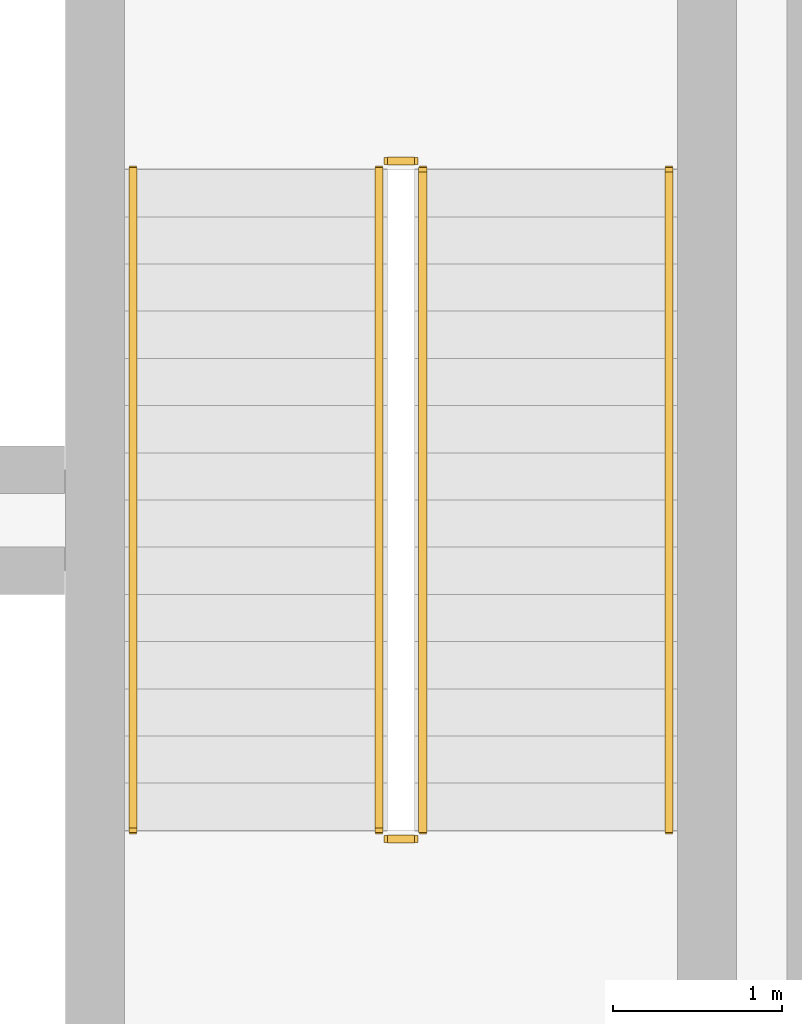
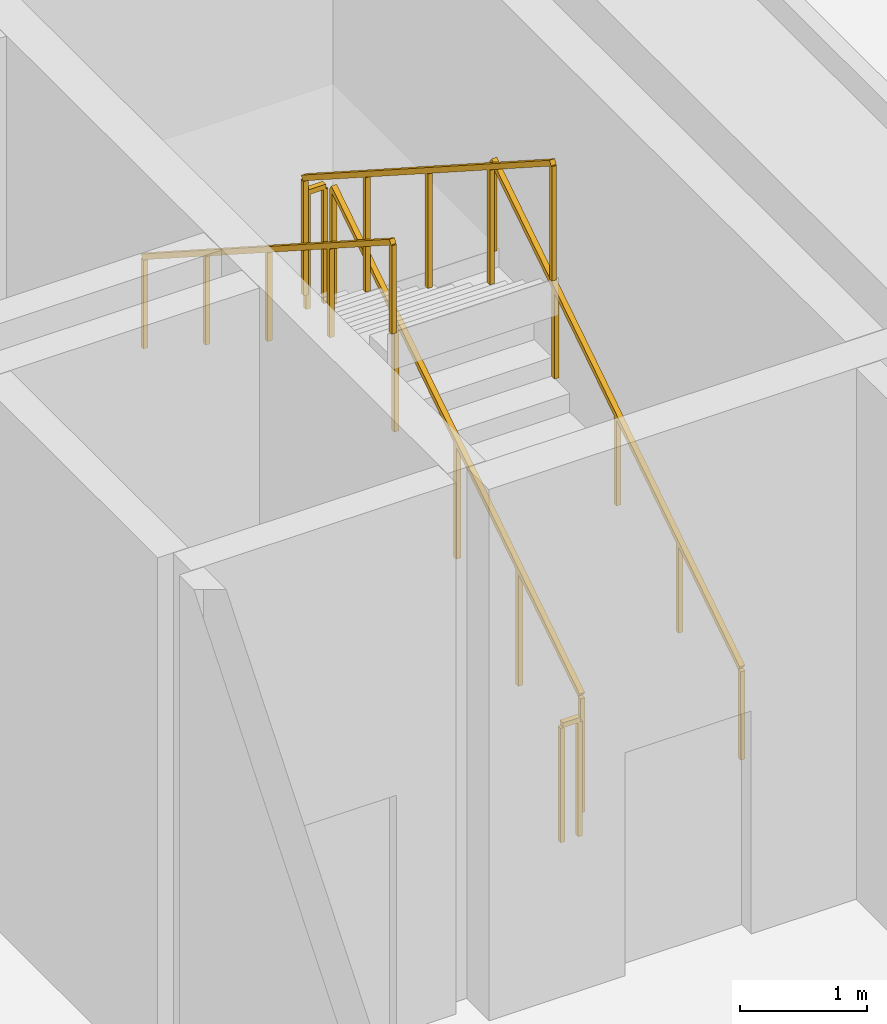
# One storey, part 25 of 25: 6 railings.
"""IFC4 building model written with IfcOpenShell, lengths in metres."""

from ifc_helpers import new_model, si_unit, direction, frame, origin, origin_2d, place, context, subcontext, project, spatial, rectangle, extrude, material, type_object, element, save


model = new_model("IFC4")

# Units and contexts
model_context = context("Model", 3, precision=1e-05, world=origin(), true_north=direction((0.0, 1.0)))
body_context = subcontext(model_context, "Body", "Model", "MODEL_VIEW")
ifc_project = project(units=[si_unit("LENGTHUNIT", "METRE"), si_unit("AREAUNIT", "SQUARE_METRE"), si_unit("VOLUMEUNIT", "CUBIC_METRE"), si_unit("PLANEANGLEUNIT", "RADIAN"), si_unit("MASSUNIT", "GRAM", prefix="KILO")], contexts=[model_context])

# Site, building, storey
site_placement = place(None, origin())
site = spatial("IfcSite", under=ifc_project, at=site_placement, CompositionType="ELEMENT")
building_placement = place(site_placement, origin())
building = spatial("IfcBuilding", under=site, at=building_placement, Name="Kaelvorn Grand Hotel", CompositionType="ELEMENT")
storey_placement = place(building_placement, frame((0.0, 0.0, 26.0)))
storey = spatial("IfcBuildingStorey", under=building, at=storey_placement, Name="L04", CompositionType="ELEMENT", Elevation=26.0)

# Railings
ifc_material = material(Name="Stainless Steel", Category="steel")
railing_type_1 = type_object("IfcRailingType", Name="RL-HANDRAIL-900", PredefinedType="HANDRAIL", material=ifc_material)
railing_1_placement = place(storey_placement, frame((66.550048828125, 41.760009765625, 0.179931640625)))
element("IfcRailing", 1, at=railing_1_placement, inside=storey, type_object=railing_type_1, Name="L04 ST3 stair handrail 1", PredefinedType="HANDRAIL", context=body_context, shape_type="SweptSolid", body=[
    extrude(rectangle(XDim=0.048095703125, YDim=0.048095703125, at=origin_2d()), frame((0.0, 0.0, 0.8759765625), z_axis=(0.0, 0.841171666519, 0.540768182723), x_axis=(-1.0, 0.0, 0.0)), (0.0, 0.0, 1.0), 4.66015625),
    extrude(rectangle(XDim=0.0419921875, YDim=0.0419921875, at=origin_2d()), origin(), (0.0, 0.0, 1.0), 0.851806640625),
    extrude(rectangle(XDim=0.0419921875, YDim=0.0419921875, at=origin_2d()), frame((0.0, 0.97998046875, 0.6298828125)), (0.0, 0.0, 1.0), 0.851806640625),
    extrude(rectangle(XDim=0.0419921875, YDim=0.0419921875, at=origin_2d()), frame((0.0, 1.9599609375, 1.260009765625)), (0.0, 0.0, 1.0), 0.851806640625),
    extrude(rectangle(XDim=0.0419921875, YDim=0.0419921875, at=origin_2d()), frame((0.0, 2.93994140625, 1.89013671875)), (0.0, 0.0, 1.0), 0.851806640625),
    extrude(rectangle(XDim=0.0419921875, YDim=0.0419921875, at=origin_2d()), frame((0.0, 3.919921875, 2.52001953125)), (0.0, 0.0, 1.0), 0.851806640625),
])
railing_2_placement = place(storey_placement, frame((63.3701171875, 45.679931640625, 2.8798828125)))
element("IfcRailing", 2, at=railing_2_placement, inside=storey, type_object=railing_type_1, Name="L04 ST3 stair handrail 2", PredefinedType="HANDRAIL", context=body_context, shape_type="SweptSolid", body=[
    extrude(rectangle(XDim=0.048095703125, YDim=0.048095703125, at=origin_2d()), frame((0.0, 0.0, 0.8759765625), z_axis=(0.0, -0.841171666519, 0.540768182723), x_axis=(1.0, 0.0, 0.0)), (0.0, 0.0, 1.0), 4.66015625),
    extrude(rectangle(XDim=0.0419921875, YDim=0.0419921875, at=origin_2d()), origin(), (0.0, 0.0, 1.0), 0.851806640625),
    extrude(rectangle(XDim=0.0419921875, YDim=0.0419921875, at=origin_2d()), frame((0.0, -0.97998046875, 0.6298828125)), (0.0, 0.0, 1.0), 0.851806640625),
    extrude(rectangle(XDim=0.0419921875, YDim=0.0419921875, at=origin_2d()), frame((0.0, -1.9599609375, 1.260009765625)), (0.0, 0.0, 1.0), 0.851806640625),
    extrude(rectangle(XDim=0.0419921875, YDim=0.0419921875, at=origin_2d()), frame((0.0, -2.93994140625, 1.89013671875)), (0.0, 0.0, 1.0), 0.851806640625),
    extrude(rectangle(XDim=0.0419921875, YDim=0.0419921875, at=origin_2d()), frame((0.0, -3.919921875, 2.52001953125)), (0.0, 0.0, 1.0), 0.851806640625),
])
railing_type_2 = type_object("IfcRailingType", Name="RL-STAIR-GUARD-1150", PredefinedType="BALUSTRADE", material=ifc_material)
railing_3_placement = place(storey_placement, frame((65.090087890625, 41.760009765625, 0.179931640625)))
element("IfcRailing", 3, at=railing_3_placement, inside=storey, type_object=railing_type_2, Name="L04 ST3 stair guard 1", PredefinedType="BALUSTRADE", context=body_context, shape_type="SweptSolid", body=[
    extrude(rectangle(XDim=0.048095703125, YDim=0.048095703125, at=origin_2d()), frame((0.0, 0.0, 1.1259765625), z_axis=(0.0, 0.841171666519, 0.540768182723), x_axis=(-1.0, 0.0, 0.0)), (0.0, 0.0, 1.0), 4.66015625),
    extrude(rectangle(XDim=0.0419921875, YDim=0.0419921875, at=origin_2d()), origin(), (0.0, 0.0, 1.0), 1.101806640625),
    extrude(rectangle(XDim=0.0419921875, YDim=0.0419921875, at=origin_2d()), frame((0.0, 0.97998046875, 0.6298828125)), (0.0, 0.0, 1.0), 1.101806640625),
    extrude(rectangle(XDim=0.0419921875, YDim=0.0419921875, at=origin_2d()), frame((0.0, 1.9599609375, 1.260009765625)), (0.0, 0.0, 1.0), 1.101806640625),
    extrude(rectangle(XDim=0.0419921875, YDim=0.0419921875, at=origin_2d()), frame((0.0, 2.93994140625, 1.89013671875)), (0.0, 0.0, 1.0), 1.101806640625),
    extrude(rectangle(XDim=0.0419921875, YDim=0.0419921875, at=origin_2d()), frame((0.0, 3.919921875, 2.52001953125)), (0.0, 0.0, 1.0), 1.101806640625),
])
railing_4_placement = place(storey_placement, frame((65.0400390625, 45.72998046875, 2.699951171875)))
element("IfcRailing", 4, at=railing_4_placement, inside=storey, type_object=railing_type_2, Name="L04 ST3 stair guard 2", PredefinedType="BALUSTRADE", context=body_context, shape_type="SweptSolid", body=[
    extrude(rectangle(XDim=0.048095703125, YDim=0.048095703125, at=origin_2d()), frame((0.0, 0.0, 1.1259765625), z_axis=(-1.0, 0.0, 0.0), x_axis=(0.0, -1.0, 0.0)), (0.0, 0.0, 1.0), 0.16015625),
    extrude(rectangle(XDim=0.0419921875, YDim=0.0419921875, at=origin_2d()), origin(), (0.0, 0.0, 1.0), 1.101806640625),
    extrude(rectangle(XDim=0.0419921875, YDim=0.0419921875, at=origin_2d()), frame((-0.16015625, 0.0, 0.0)), (0.0, 0.0, 1.0), 1.101806640625),
])
railing_5_placement = place(storey_placement, frame((64.830078125, 45.679931640625, 2.8798828125)))
element("IfcRailing", 5, at=railing_5_placement, inside=storey, type_object=railing_type_2, Name="L04 ST3 stair guard 3", PredefinedType="BALUSTRADE", context=body_context, shape_type="SweptSolid", body=[
    extrude(rectangle(XDim=0.048095703125, YDim=0.048095703125, at=origin_2d()), frame((0.0, 0.0, 1.1259765625), z_axis=(0.0, -0.841171666519, 0.540768182723), x_axis=(1.0, 0.0, 0.0)), (0.0, 0.0, 1.0), 4.66015625),
    extrude(rectangle(XDim=0.0419921875, YDim=0.0419921875, at=origin_2d()), origin(), (0.0, 0.0, 1.0), 1.101806640625),
    extrude(rectangle(XDim=0.0419921875, YDim=0.0419921875, at=origin_2d()), frame((0.0, -0.97998046875, 0.6298828125)), (0.0, 0.0, 1.0), 1.101806640625),
    extrude(rectangle(XDim=0.0419921875, YDim=0.0419921875, at=origin_2d()), frame((0.0, -1.9599609375, 1.260009765625)), (0.0, 0.0, 1.0), 1.101806640625),
    extrude(rectangle(XDim=0.0419921875, YDim=0.0419921875, at=origin_2d()), frame((0.0, -2.93994140625, 1.89013671875)), (0.0, 0.0, 1.0), 1.101806640625),
    extrude(rectangle(XDim=0.0419921875, YDim=0.0419921875, at=origin_2d()), frame((0.0, -3.919921875, 2.52001953125)), (0.0, 0.0, 1.0), 1.101806640625),
])
railing_6_placement = place(storey_placement, frame((65.0400390625, 41.7099609375, 0.0)))
element("IfcRailing", 6, at=railing_6_placement, inside=storey, type_object=railing_type_2, Name="L04 ST3 stair guard 4", PredefinedType="BALUSTRADE", context=body_context, shape_type="SweptSolid", body=[
    extrude(rectangle(XDim=0.048095703125, YDim=0.048095703125, at=origin_2d()), frame((0.0, 0.0, 1.1259765625), z_axis=(-1.0, 0.0, 0.0), x_axis=(0.0, -1.0, 0.0)), (0.0, 0.0, 1.0), 0.16015625),
    extrude(rectangle(XDim=0.0419921875, YDim=0.0419921875, at=origin_2d()), origin(), (0.0, 0.0, 1.0), 1.101806640625),
    extrude(rectangle(XDim=0.0419921875, YDim=0.0419921875, at=origin_2d()), frame((-0.16015625, 0.0, 0.0)), (0.0, 0.0, 1.0), 1.101806640625),
])

save(model, "model.ifc")
